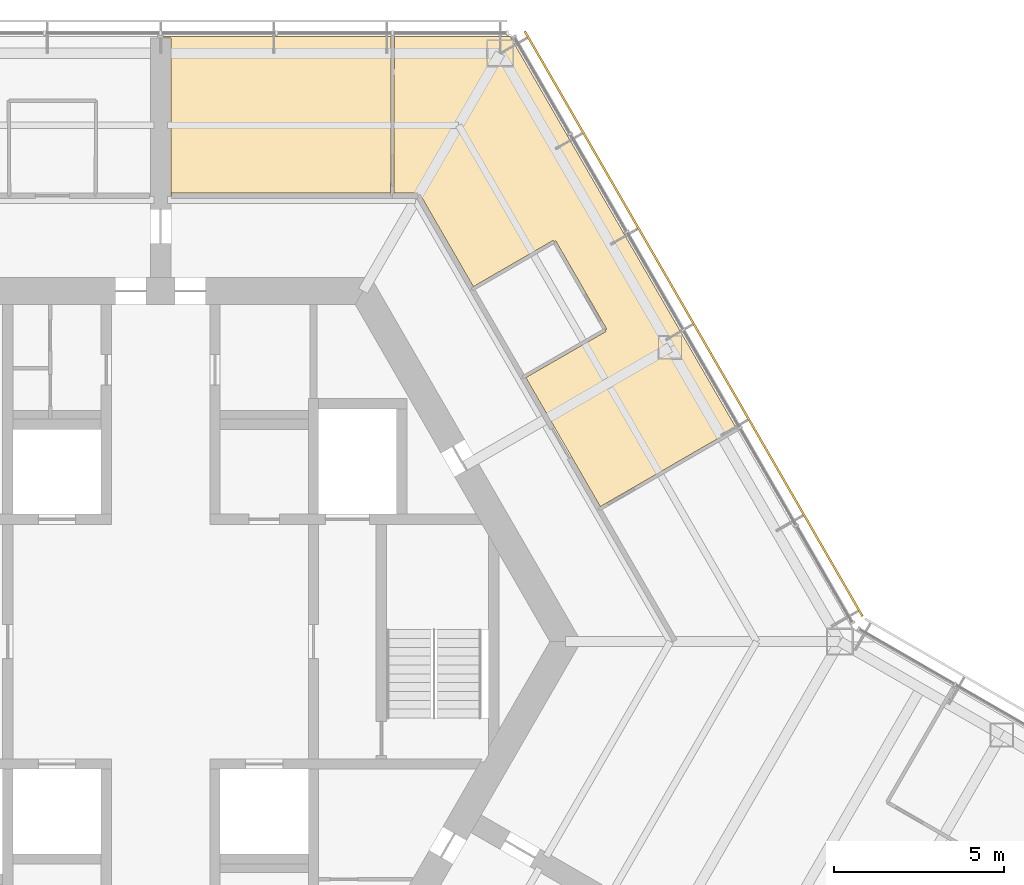
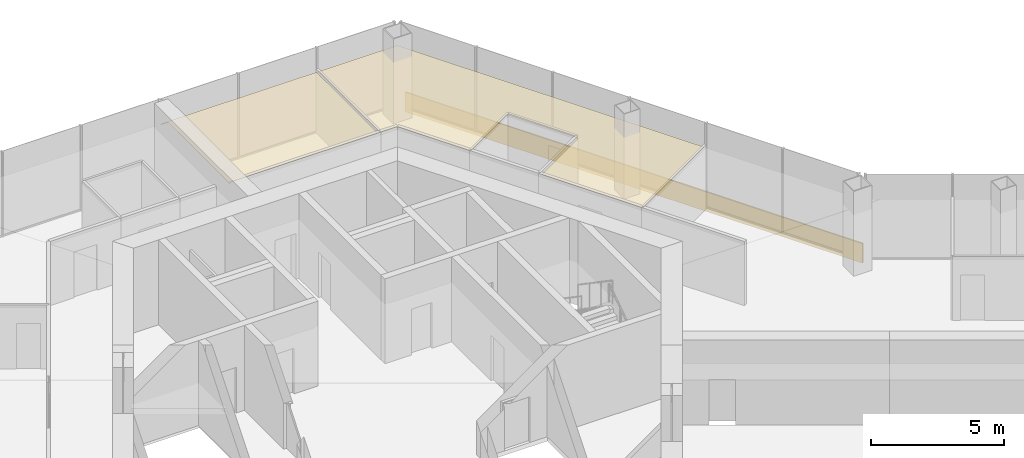
# One storey, part 16 of 16: 2 coverings, 1 shading device.
"""IFC4 building model written with IfcOpenShell, lengths in metres."""

from ifc_helpers import new_model, si_unit, direction, frame, origin, origin_2d, place, context, subcontext, project, spatial, polyline, rectangle, outline, extrude, material, layer, layer_set, type_object, element, save


model = new_model("IFC4")

# Units and contexts
model_context = context("Model", 3, precision=1e-05, world=origin(), true_north=direction((0.0, 1.0)))
body_context = subcontext(model_context, "Body", "Model", "MODEL_VIEW")
ifc_project = project(units=[si_unit("LENGTHUNIT", "METRE"), si_unit("AREAUNIT", "SQUARE_METRE"), si_unit("VOLUMEUNIT", "CUBIC_METRE"), si_unit("PLANEANGLEUNIT", "RADIAN"), si_unit("MASSUNIT", "GRAM", prefix="KILO")], contexts=[model_context])

# Site, building, storey
site_placement = place(None, origin())
site = spatial("IfcSite", under=ifc_project, at=site_placement, CompositionType="ELEMENT")
building_placement = place(site_placement, origin())
building = spatial("IfcBuilding", under=site, at=building_placement, Name="Kasaneha Research Tower", CompositionType="ELEMENT")
storey_placement = place(building_placement, frame((0.0, 0.0, 259.60009765625)))
storey = spatial("IfcBuildingStorey", under=building, at=storey_placement, Name="L65", CompositionType="ELEMENT", Elevation=259.60009765625)

# Coverings
ifc_material_1 = material(Name="Gypsum ceiling board", Category="gypsum")
ifc_layer_1 = layer(ifc_material_1, 0.02001953125)
ifc_layer_set_1 = layer_set([ifc_layer_1], Name="Suspended ceiling 20")
covering_type = type_object("IfcCoveringType", Name="Suspended ceiling 20", PredefinedType="CEILING", material=ifc_layer_set_1)
covering_1_placement = place(storey_placement, frame((0.0, 0.0, 2.7998046875)))
element("IfcCovering", 1, at=covering_1_placement, inside=storey, type_object=covering_type, Name="Ceiling L65-28", PredefinedType="CEILING", context=body_context, shape_type="SweptSolid", body=[
    extrude(outline(polyline([(6.8310546875, 17.820556640625), (6.8310546875, 17.800537109375), (6.781005859375, 17.800537109375), (6.776611328125, 13.199951171875), (0.320068359375, 13.199951171875), (0.320068359375, 13.125), (0.300048828125, 13.125), (0.300048828125, 17.7705078125), (0.300048828125, 17.7705078125), (0.0, 17.7705078125), (0.0, 17.820556640625), (6.8310546875, 17.820556640625)])), origin(), (0.0, 0.0, 1.0), 0.02001953125),
])
covering_2_placement = place(storey_placement, frame((0.0, 0.0, 2.7998046875)))
element("IfcCovering", 2, at=covering_2_placement, inside=storey, type_object=covering_type, Name="Ceiling L65-29", PredefinedType="CEILING", context=body_context, shape_type="SweptSolid", body=[
    extrude(outline(polyline([(13.092041015625, 9.1748046875), (13.091796875, 9.175048828125), (13.134765625, 9.199951171875), (11.634765625, 11.798095703125), (11.591796875, 11.773193359375), (11.591796875, 11.773193359375), (11.591552734375, 11.77294921875), (11.56640625, 11.816162109375), (9.208740234375, 10.449951171875), (7.642578125, 13.16259765625), (7.578125, 13.125244140625), (7.578125, 13.125244140625), (7.57763671875, 13.125244140625), (7.57763671875, 13.199951171875), (6.87646484375, 13.199951171875), (6.880859375, 17.800537109375), (6.83154296875, 17.800537109375), (6.83154296875, 17.820556640625), (10.28857421875, 17.820556640625), (16.94677734375, 6.28857421875), (12.947509765625, 3.974365234375), (10.75439453125, 7.77294921875), (13.116455078125, 9.131591796875), (13.091552734375, 9.174560546875), (13.092041015625, 9.1748046875)])), origin(), (0.0, 0.0, 1.0), 0.02001953125),
])

# Shading device
ifc_material_2 = material(Name="Terracotta", Category="masonry")
ifc_layer_2 = layer(ifc_material_2, 0.06005859375)
ifc_layer_set_2 = layer_set([ifc_layer_2], Name="Terracotta baguette screen")
shading_device_type = type_object("IfcShadingDeviceType", Name="Terracotta baguette screen", PredefinedType="USERDEFINED", material=ifc_layer_set_2)
shading_device_placement = place(storey_placement, frame((15.696044921875, 9.35498046875, -0.449951171875), z_axis=(0.0, 0.0, 1.0), x_axis=(-0.499999979232, 0.866025415775, 0.0)))
element("IfcShadingDevice", 3, at=shading_device_placement, inside=storey, type_object=shading_device_type, Name="Baguette screen L65 01", ObjectType="TERRACOTTA BAGUETTE SCREEN", PredefinedType="USERDEFINED", context=body_context, shape_type="SweptSolid", body=[
    extrude(rectangle(XDim=19.8857421875, YDim=0.06005859375, at=origin_2d()), origin(), (0.0, 0.0, 1.0), 0.89990234375),
])

save(model, "model.ifc")
